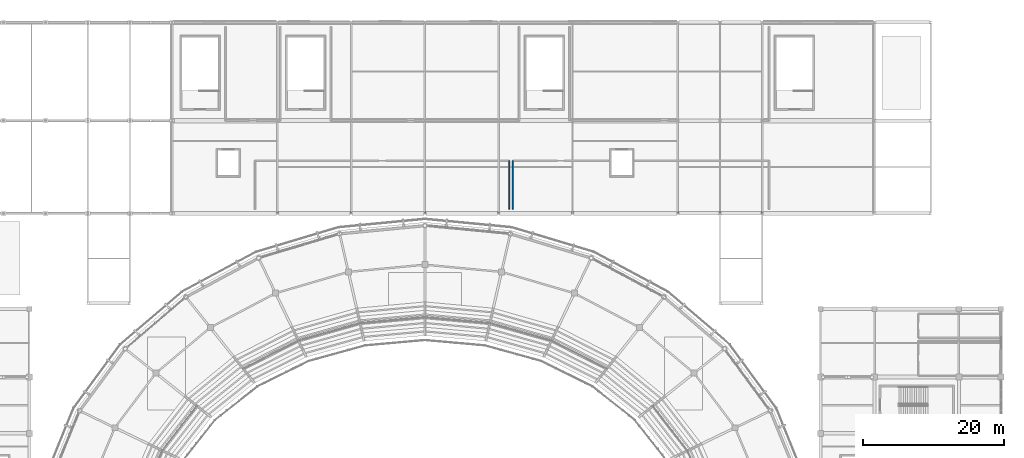
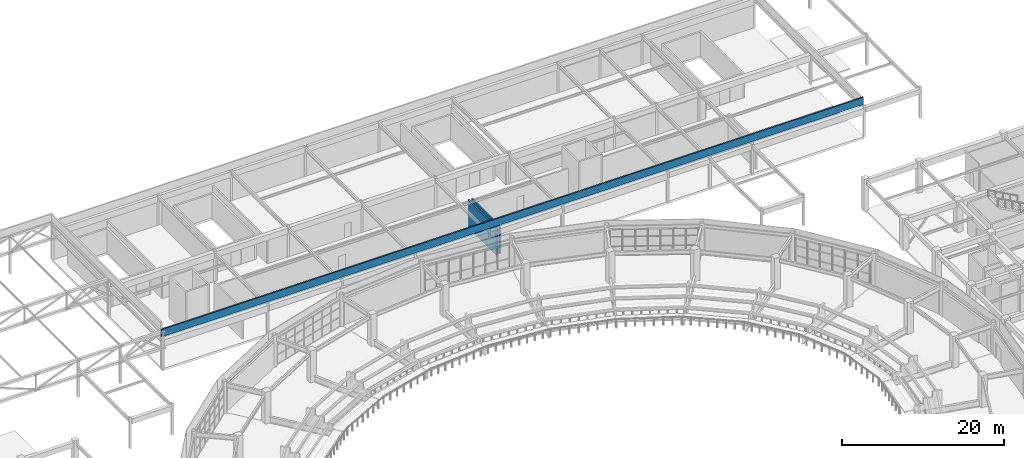
# One storey, part 101 of 122: 3 walls.
"""IFC4 building model written with IfcOpenShell, lengths in metres."""

from ifc_helpers import new_model, si_unit, direction, frame, frame_2d, origin, place, context, subcontext, project, spatial, rectangle, extrude, material, layer, layer_set, type_object, element, save


model = new_model("IFC4")

# Units and contexts
model_context = context("Model", 3, precision=1e-05, world=origin(), true_north=direction((0.0, 1.0)))
body_context = subcontext(model_context, "Body", "Model", "MODEL_VIEW")
ifc_project = project(units=[si_unit("LENGTHUNIT", "METRE"), si_unit("AREAUNIT", "SQUARE_METRE"), si_unit("VOLUMEUNIT", "CUBIC_METRE"), si_unit("PLANEANGLEUNIT", "RADIAN"), si_unit("MASSUNIT", "GRAM", prefix="KILO")], contexts=[model_context])

# Site, building, storey
site_placement = place(None, origin())
site = spatial("IfcSite", under=ifc_project, at=site_placement, CompositionType="ELEMENT")
building_placement = place(site_placement, origin())
building = spatial("IfcBuilding", under=site, at=building_placement, Name="Cuetzalor Civic Arena", CompositionType="ELEMENT")
storey_placement = place(building_placement, frame((0.0, 0.0, 16.199951171875)))
storey = spatial("IfcBuildingStorey", under=building, at=storey_placement, Name="L03", CompositionType="ELEMENT", Elevation=16.199951171875)

# Walls
ifc_material_1 = material(Name="Dark volcanic basalt parapet Concrete C35/45", Category="masonry")
ifc_layer_1 = layer(ifc_material_1, 0.2099609375)
ifc_layer_set_1 = layer_set([ifc_layer_1], Name="Dark volcanic basalt parapet Concrete C35/45")
wall_type_1 = type_object("IfcWallType", Name="BasaltRoofParapet_210", PredefinedType="PARAPET", material=ifc_layer_set_1)
wall_placement = place(storey_placement, frame((63.949951171875, 48.449951171875, 4.800048828125), z_axis=(0.0, 0.0, 1.0), x_axis=(-1.0, 0.0, 0.0)))
element("IfcWall", 1, at=wall_placement, inside=storey, type_object=wall_type_1, Name="Roof Parapet 03 L03-251", PredefinedType="PARAPET", context=body_context, shape_type="SweptSolid", body=[
    extrude(rectangle(XDim=100.050048828125, YDim=0.2099609375, at=frame_2d((50.02490234375, 0.0))), origin(), (0.0, 0.0, 1.0), 1.10009765625),
])
ifc_material_2 = material(Name="Fire-rated masonry and gypsum partition", Category="masonry")
ifc_layer_2 = layer(ifc_material_2, 0.199951171875)
ifc_layer_set_2 = layer_set([ifc_layer_2], Name="Fire-rated masonry and gypsum partition")
wall_type_2 = type_object("IfcWallType", Name="FireCompartmentWall_200", PredefinedType="PARTITIONING", material=ifc_layer_set_2)
for number, where, z_axis, x_axis, name in (
    (2, (12.0, 55.800048828125, 0.0), (0.0, 0.0, 1.0), (0.0, -1.0, 0.0), "Interior Partition IWALL:L03:0499"),
    (3, (12.5, 48.89990234375, 0.0), (0.0, 0.0, 1.0), (0.0, 1.0, 0.0), "Interior Partition IWALL:L03:0504"),
):
    element("IfcWall", number, at=place(storey_placement, frame(where, z_axis=z_axis, x_axis=x_axis)), inside=storey, type_object=wall_type_2, Name=name, PredefinedType="PARTITIONING", context=body_context, shape_type="SweptSolid", body=[
        extrude(rectangle(XDim=6.900146484375, YDim=0.199951171875, at=frame_2d((3.4501953125, 0.0))), origin(), (0.0, 0.0, 1.0), 4.162109375),
    ])

save(model, "model.ifc")
